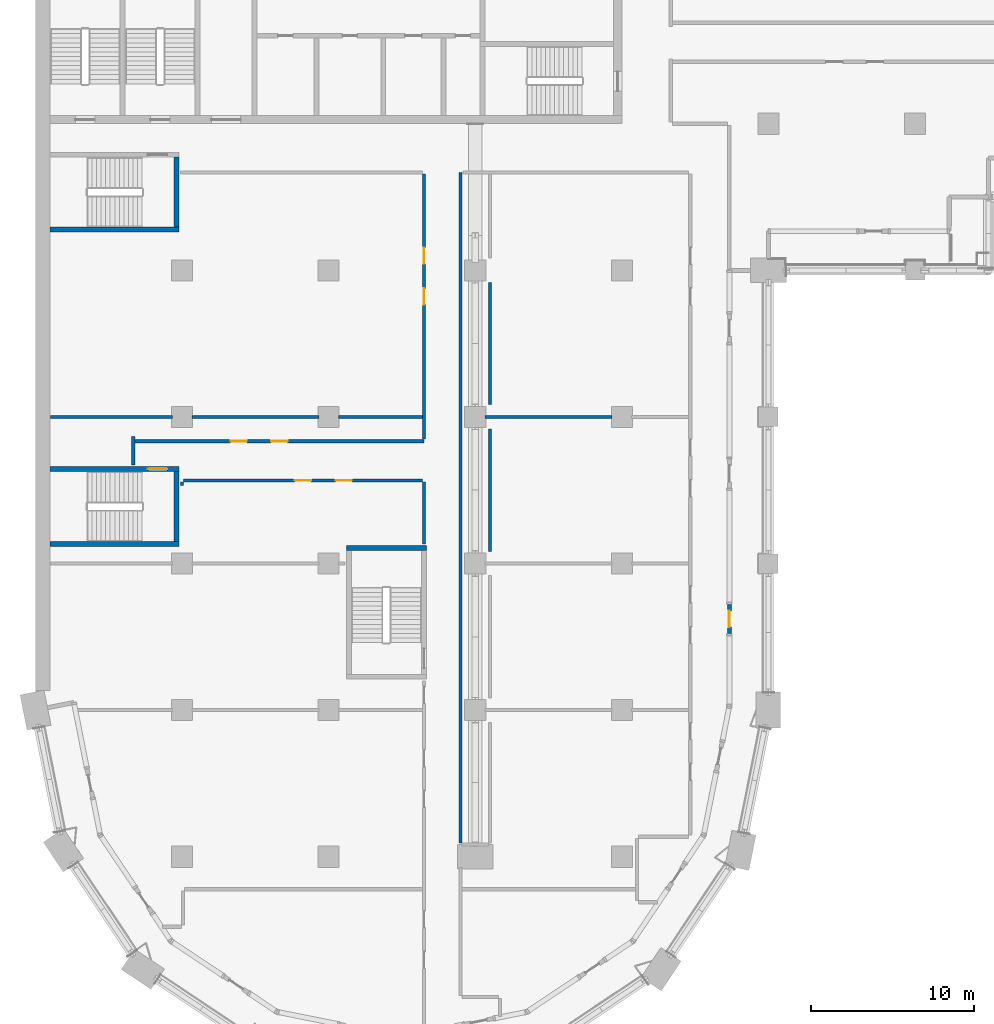
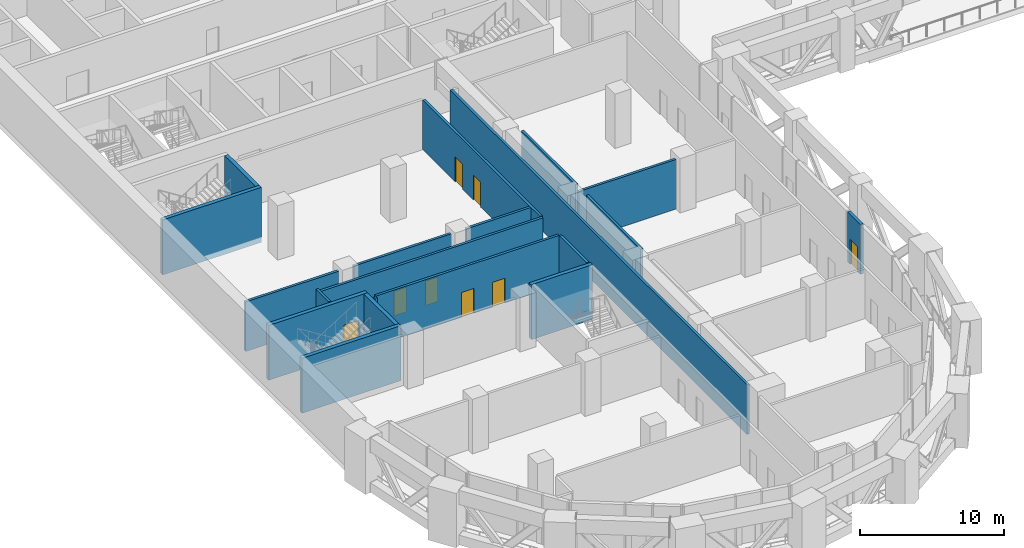
# One storey, part 8 of 22: 20 walls, 8 doors, 8 openings.
"""IFC4 building model written with IfcOpenShell, lengths in metres."""

from ifc_helpers import new_model, si_unit, direction, frame, frame_2d, origin, place, context, subcontext, project, spatial, rectangle, extrude, material, layer, layer_set, type_object, element, fill, save


model = new_model("IFC4")

# Units and contexts
model_context = context("Model", 3, precision=1e-05, world=origin(), true_north=direction((0.0, 1.0)))
body_context = subcontext(model_context, "Body", "Model", "MODEL_VIEW")
ifc_project = project(units=[si_unit("LENGTHUNIT", "METRE"), si_unit("AREAUNIT", "SQUARE_METRE"), si_unit("VOLUMEUNIT", "CUBIC_METRE"), si_unit("PLANEANGLEUNIT", "RADIAN"), si_unit("MASSUNIT", "GRAM", prefix="KILO")], contexts=[model_context])

# Site, building, storey
site_placement = place(None, origin())
site = spatial("IfcSite", under=ifc_project, at=site_placement, CompositionType="ELEMENT")
building_placement = place(site_placement, origin())
building = spatial("IfcBuilding", under=site, at=building_placement, Name="Hunhe Ridgeline Campus", CompositionType="ELEMENT")
storey_placement = place(building_placement, frame((0.0, 0.0, 129.199951171875)))
storey = spatial("IfcBuildingStorey", under=building, at=storey_placement, Name="L32", CompositionType="ELEMENT", Elevation=129.199951171875)

# Wall, openings, doors
ifc_material_1 = material(Name="Gypsum board partition")
ifc_layer_1 = layer(ifc_material_1, 0.199951171875)
ifc_layer_set_1 = layer_set([ifc_layer_1], Name="Corridor partition 200 gypsum board on steel studs")
wall_type_1 = type_object("IfcWallType", Name="Corridor partition 200 gypsum board on steel studs", PredefinedType="PARTITIONING", material=ifc_layer_set_1)
wall_1_placement = place(storey_placement, frame((23.75, 41.10009765625, 0.0), z_axis=(0.0, 0.0, 1.0), x_axis=(-1.0, 0.0, 0.0)))
wall_1 = element("IfcWall", 1, at=wall_1_placement, inside=storey, type_object=wall_type_1, Name="F-L32-wall-018", PredefinedType="PARTITIONING", context=body_context, shape_type="SweptSolid", body=[
    extrude(rectangle(XDim=14.64990234375, YDim=0.199951171875, at=frame_2d((7.324951171875, 0.0))), origin(), (0.0, 0.0, 1.0), 4.199951171875),
])
opening_1_placement = place(wall_1_placement, frame((6.824951171875, 0.0, 0.0)))
opening_1 = element("IfcOpeningElement", 2, at=opening_1_placement, cuts=wall_1, Name="Opening RD1-011", PredefinedType="OPENING", context=body_context, shape_type="SweptSolid", body=[
    extrude(rectangle(XDim=1.0, YDim=2.10009765625, at=frame_2d((0.5, 1.050048828125))), frame((0.0, 0.10009765625, 0.0), z_axis=(0.0, -1.0, 0.0), x_axis=(1.0, 0.0, 0.0)), (0.0, 0.0, 1.0), 0.199951171875),
])
opening_2_placement = place(wall_1_placement, frame((4.324951171875, 0.0, 0.0)))
opening_2 = element("IfcOpeningElement", 3, at=opening_2_placement, cuts=wall_1, Name="Opening RD1-012", PredefinedType="OPENING", context=body_context, shape_type="SweptSolid", body=[
    extrude(rectangle(XDim=1.0, YDim=2.10009765625, at=frame_2d((0.5, 1.050048828125))), frame((0.0, 0.10009765625, 0.0), z_axis=(0.0, -1.0, 0.0), x_axis=(1.0, 0.0, 0.0)), (0.0, 0.0, 1.0), 0.199951171875),
])
ifc_material_2 = material(Name="Timber door leaf", Category="wood")
door_type_1 = type_object("IfcDoorType", Name="Single fire door 1000x2100 timber FD60", OperationType="NOTDEFINED", PredefinedType="DOOR", material=ifc_material_2)
door_1_placement = place(opening_1_placement, frame((1.0, 0.0, 0.0), z_axis=(0.0, 0.0, 1.0), x_axis=(-1.0, 0.0, 0.0)))
door_1 = element("IfcDoor", 4, at=door_1_placement, inside=storey, type_object=door_type_1, Name="F-L32-door-011", OperationType="SINGLE_SWING_RIGHT", OverallHeight=2.10009765625, OverallWidth=1.0, PredefinedType="DOOR", context=body_context, shape_type="SweptSolid", body=[
    extrude(rectangle(XDim=1.0, YDim=2.10009765625, at=frame_2d((0.5, 1.050048828125))), frame((0.0, 0.02490234375, 0.0), z_axis=(0.0, -1.0, 0.0), x_axis=(1.0, 0.0, 0.0)), (0.0, 0.0, 1.0), 0.050048828125),
])
fill(opening_1, door_1)
door_2_placement = place(opening_2_placement, frame((1.0, 0.0, 0.0), z_axis=(0.0, 0.0, 1.0), x_axis=(-1.0, 0.0, 0.0)))
door_2 = element("IfcDoor", 5, at=door_2_placement, inside=storey, type_object=door_type_1, Name="F-L32-door-012", OperationType="SINGLE_SWING_RIGHT", OverallHeight=2.10009765625, OverallWidth=1.0, PredefinedType="DOOR", context=body_context, shape_type="SweptSolid", body=[
    extrude(rectangle(XDim=1.0, YDim=2.10009765625, at=frame_2d((0.5, 1.050048828125))), frame((0.0, 0.02490234375, 0.0), z_axis=(0.0, -1.0, 0.0), x_axis=(1.0, 0.0, 0.0)), (0.0, 0.0, 1.0), 0.050048828125),
])
fill(opening_2, door_2)

wall_2_placement = place(storey_placement, frame((6.10009765625, 43.5, 0.0), z_axis=(0.0, 0.0, 1.0), x_axis=(1.0, 0.0, 0.0)))
wall_2 = element("IfcWall", 6, at=wall_2_placement, inside=storey, type_object=wall_type_1, Name="F-L32-wall-019", PredefinedType="PARTITIONING", context=body_context, shape_type="SweptSolid", body=[
    extrude(rectangle(XDim=17.75, YDim=0.199951171875, at=frame_2d((8.875, 0.0))), origin(), (0.0, 0.0, 1.0), 4.199951171875),
])
opening_3_placement = place(wall_2_placement, frame((5.875, 0.0, 0.0)))
opening_3 = element("IfcOpeningElement", 7, at=opening_3_placement, cuts=wall_2, Name="Opening RD1-014", PredefinedType="OPENING", context=body_context, shape_type="SweptSolid", body=[
    extrude(rectangle(XDim=1.0, YDim=2.10009765625, at=frame_2d((0.5, 1.050048828125))), frame((0.0, 0.10009765625, 0.0), z_axis=(0.0, -1.0, 0.0), x_axis=(1.0, 0.0, 0.0)), (0.0, 0.0, 1.0), 0.199951171875),
])
opening_4_placement = place(wall_2_placement, frame((8.375, 0.0, 0.0)))
opening_4 = element("IfcOpeningElement", 8, at=opening_4_placement, cuts=wall_2, Name="Opening RD1-015", PredefinedType="OPENING", context=body_context, shape_type="SweptSolid", body=[
    extrude(rectangle(XDim=1.0, YDim=2.10009765625, at=frame_2d((0.5, 1.050048828125))), frame((0.0, 0.10009765625, 0.0), z_axis=(0.0, -1.0, 0.0), x_axis=(1.0, 0.0, 0.0)), (0.0, 0.0, 1.0), 0.199951171875),
])
door_3_placement = place(opening_3_placement, frame((1.0, 0.0, 0.0), z_axis=(0.0, 0.0, 1.0), x_axis=(-1.0, 0.0, 0.0)))
door_3 = element("IfcDoor", 9, at=door_3_placement, inside=storey, type_object=door_type_1, Name="F-L32-door-014", OperationType="SINGLE_SWING_RIGHT", OverallHeight=2.10009765625, OverallWidth=1.0, PredefinedType="DOOR", context=body_context, shape_type="SweptSolid", body=[
    extrude(rectangle(XDim=1.0, YDim=2.10009765625, at=frame_2d((0.5, 1.050048828125))), frame((0.0, 0.02490234375, 0.0), z_axis=(0.0, -1.0, 0.0), x_axis=(1.0, 0.0, 0.0)), (0.0, 0.0, 1.0), 0.050048828125),
])
fill(opening_3, door_3)
door_4_placement = place(opening_4_placement, frame((1.0, 0.0, 0.0), z_axis=(0.0, 0.0, 1.0), x_axis=(-1.0, 0.0, 0.0)))
door_4 = element("IfcDoor", 10, at=door_4_placement, inside=storey, type_object=door_type_1, Name="F-L32-door-015", OperationType="SINGLE_SWING_LEFT", OverallHeight=2.10009765625, OverallWidth=1.0, PredefinedType="DOOR", context=body_context, shape_type="SweptSolid", body=[
    extrude(rectangle(XDim=1.0, YDim=2.10009765625, at=frame_2d((0.5, 1.050048828125))), frame((0.0, 0.02490234375, 0.0), z_axis=(0.0, -1.0, 0.0), x_axis=(1.0, 0.0, 0.0)), (0.0, 0.0, 1.0), 0.050048828125),
])
fill(opening_4, door_4)

# Walls
wall_3_placement = place(storey_placement, frame((0.924072265625, 45.0, 0.0), z_axis=(0.0, 0.0, 1.0), x_axis=(1.0, 0.0, 0.0)))
element("IfcWall", 11, at=wall_3_placement, inside=storey, type_object=wall_type_1, Name="F-L32-wall-020", PredefinedType="PARTITIONING", context=body_context, shape_type="SweptSolid", body=[
    extrude(rectangle(XDim=7.475830078125, YDim=0.199951171875, at=frame_2d((3.73779296875, 0.0))), origin(), (0.0, 0.0, 1.0), 4.199951171875),
])
wall_4_placement = place(storey_placement, frame((9.60009765625, 45.0, 0.0), z_axis=(0.0, 0.0, 1.0), x_axis=(1.0, 0.0, 0.0)))
element("IfcWall", 12, at=wall_4_placement, inside=storey, type_object=wall_type_1, Name="F-L32-wall-021", PredefinedType="PARTITIONING", context=body_context, shape_type="SweptSolid", body=[
    extrude(rectangle(XDim=7.7998046875, YDim=0.199951171875, at=frame_2d((3.89990234375, 0.0))), origin(), (0.0, 0.0, 1.0), 4.199951171875),
])
wall_5_placement = place(storey_placement, frame((18.60009765625, 45.0, 0.0), z_axis=(0.0, 0.0, 1.0), x_axis=(1.0, 0.0, 0.0)))
element("IfcWall", 13, at=wall_5_placement, inside=storey, type_object=wall_type_1, Name="F-L32-wall-022", PredefinedType="PARTITIONING", context=body_context, shape_type="SweptSolid", body=[
    extrude(rectangle(XDim=5.14990234375, YDim=0.199951171875, at=frame_2d((2.574951171875, 0.0))), origin(), (0.0, 0.0, 1.0), 4.199951171875),
])
wall_6_placement = place(storey_placement, frame((27.60009765625, 45.0, 0.0), z_axis=(0.0, 0.0, 1.0), x_axis=(1.0, 0.0, 0.0)))
element("IfcWall", 14, at=wall_6_placement, inside=storey, type_object=wall_type_1, Name="F-L32-wall-023", PredefinedType="PARTITIONING", context=body_context, shape_type="SweptSolid", body=[
    extrude(rectangle(XDim=7.7998046875, YDim=0.199951171875, at=frame_2d((3.89990234375, 0.0))), origin(), (0.0, 0.0, 1.0), 4.199951171875),
])
wall_7_placement = place(storey_placement, frame((6.0, 42.053955078125, 0.0), z_axis=(0.0, 0.0, 1.0), x_axis=(0.0, 1.0, 0.0)))
element("IfcWall", 15, at=wall_7_placement, inside=storey, type_object=wall_type_1, Name="F-L32-wall-044", PredefinedType="PARTITIONING", context=body_context, shape_type="SweptSolid", body=[
    extrude(rectangle(XDim=1.74609375, YDim=0.199951171875, at=frame_2d((0.873046875, 0.0))), origin(), (0.0, 0.0, 1.0), 4.199951171875),
])
wall_8_placement = place(storey_placement, frame((9.0, 41.0, 0.0), z_axis=(0.0, 0.0, 1.0), x_axis=(0.0, -1.0, 0.0)))
element("IfcWall", 16, at=wall_8_placement, inside=storey, type_object=wall_type_1, Name="F-L32-wall-045", PredefinedType="PARTITIONING", context=body_context, shape_type="SweptSolid", body=[
    extrude(rectangle(XDim=0.199951171875, YDim=0.199951171875, at=frame_2d((0.10009765625, 0.0))), origin(), (0.0, 0.0, 1.0), 4.199951171875),
])
wall_9_placement = place(storey_placement, frame((23.85009765625, 37.2041015625, 0.0), z_axis=(0.0, 0.0, 1.0), x_axis=(0.0, 1.0, 0.0)))
element("IfcWall", 17, at=wall_9_placement, inside=storey, type_object=wall_type_1, Name="F-L32-wall-048", PredefinedType="PARTITIONING", context=body_context, shape_type="SweptSolid", body=[
    extrude(rectangle(XDim=3.7958984375, YDim=0.199951171875, at=frame_2d((1.89794921875, 0.0))), origin(), (0.0, 0.0, 1.0), 4.199951171875),
])

# Wall, openings, doors
wall_10_placement = place(storey_placement, frame((23.85009765625, 43.646240234375, 0.0), z_axis=(0.0, 0.0, 1.0), x_axis=(0.0, 1.0, 0.0)))
wall_10 = element("IfcWall", 18, at=wall_10_placement, inside=storey, type_object=wall_type_1, Name="F-L32-wall-049", PredefinedType="PARTITIONING", context=body_context, shape_type="SweptSolid", body=[
    extrude(rectangle(XDim=16.253662109375, YDim=0.199951171875, at=frame_2d((8.126953125, 0.0))), origin(), (0.0, 0.0, 1.0), 4.199951171875),
])
opening_5_placement = place(wall_10_placement, frame((8.251953125, 0.0, 0.0)))
opening_5 = element("IfcOpeningElement", 19, at=opening_5_placement, cuts=wall_10, Name="Opening RD1-016", PredefinedType="OPENING", context=body_context, shape_type="SweptSolid", body=[
    extrude(rectangle(XDim=1.0, YDim=2.10009765625, at=frame_2d((0.5, 1.050048828125))), frame((0.0, 0.10009765625, 0.0), z_axis=(0.0, -1.0, 0.0), x_axis=(1.0, 0.0, 0.0)), (0.0, 0.0, 1.0), 0.199951171875),
])
opening_6_placement = place(wall_10_placement, frame((10.751953125, 0.0, 0.0)))
opening_6 = element("IfcOpeningElement", 20, at=opening_6_placement, cuts=wall_10, Name="Opening RD1-018", PredefinedType="OPENING", context=body_context, shape_type="SweptSolid", body=[
    extrude(rectangle(XDim=1.0, YDim=2.10009765625, at=frame_2d((0.5, 1.050048828125))), frame((0.0, 0.10009765625, 0.0), z_axis=(0.0, -1.0, 0.0), x_axis=(1.0, 0.0, 0.0)), (0.0, 0.0, 1.0), 0.199951171875),
])
door_5_placement = place(opening_5_placement, frame((1.0, 0.0, 0.0), z_axis=(0.0, 0.0, 1.0), x_axis=(-1.0, 0.0, 0.0)))
door_5 = element("IfcDoor", 21, at=door_5_placement, inside=storey, type_object=door_type_1, Name="F-L32-door-016", OperationType="SINGLE_SWING_LEFT", OverallHeight=2.10009765625, OverallWidth=1.0, PredefinedType="DOOR", context=body_context, shape_type="SweptSolid", body=[
    extrude(rectangle(XDim=1.0, YDim=2.10009765625, at=frame_2d((0.5, 1.050048828125))), frame((0.0, 0.02490234375, 0.0), z_axis=(0.0, -1.0, 0.0), x_axis=(1.0, 0.0, 0.0)), (0.0, 0.0, 1.0), 0.050048828125),
])
fill(opening_5, door_5)
door_6_placement = place(opening_6_placement, frame((1.0, 0.0, 0.0), z_axis=(0.0, 0.0, 1.0), x_axis=(-1.0, 0.0, 0.0)))
door_6 = element("IfcDoor", 22, at=door_6_placement, inside=storey, type_object=door_type_1, Name="F-L32-door-018", OperationType="SINGLE_SWING_LEFT", OverallHeight=2.10009765625, OverallWidth=1.0, PredefinedType="DOOR", context=body_context, shape_type="SweptSolid", body=[
    extrude(rectangle(XDim=1.0, YDim=2.10009765625, at=frame_2d((0.5, 1.050048828125))), frame((0.0, 0.02490234375, 0.0), z_axis=(0.0, -1.0, 0.0), x_axis=(1.0, 0.0, 0.0)), (0.0, 0.0, 1.0), 0.050048828125),
])
fill(opening_6, door_6)

# Walls
wall_11_placement = place(storey_placement, frame((26.10009765625, 59.999755859375, 0.0), z_axis=(0.0, 0.0, 1.0), x_axis=(0.0, -1.0, 0.0)))
element("IfcWall", 23, at=wall_11_placement, inside=storey, type_object=wall_type_1, Name="F-L32-wall-051", PredefinedType="PARTITIONING", context=body_context, shape_type="SweptSolid", body=[
    extrude(rectangle(XDim=41.149658203125, YDim=0.199951171875, at=frame_2d((20.57470703125, 0.0))), origin(), (0.0, 0.0, 1.0), 4.199951171875),
])
for number, where, z_axis, x_axis, name in (
    (24, (27.89990234375, 44.25, 0.0), (0.0, 0.0, 1.0), (0.0, -1.0, 0.0), "F-L32-wall-054"),
    (25, (27.89990234375, 53.25, 0.0), (0.0, 0.0, 1.0), (0.0, -1.0, 0.0), "F-L32-wall-055"),
):
    element("IfcWall", number, at=place(storey_placement, frame(where, z_axis=z_axis, x_axis=x_axis)), inside=storey, type_object=wall_type_1, Name=name, PredefinedType="PARTITIONING", context=body_context, shape_type="SweptSolid", body=[
        extrude(rectangle(XDim=7.5, YDim=0.199951171875, at=frame_2d((3.75, 0.0))), origin(), (0.0, 0.0, 1.0), 4.199951171875),
    ])

# Wall, opening, door
ifc_material_3 = material(Name="Concrete C30", Category="concrete")
ifc_layer_2 = layer(ifc_material_3, 0.25)
ifc_layer_set_2 = layer_set([ifc_layer_2], Name="Loggia door pier wall 250 Concrete C30")
wall_type_2 = type_object("IfcWallType", Name="Loggia door pier wall 250 Concrete C30", PredefinedType="SOLIDWALL", material=ifc_layer_set_2)
wall_12_placement = place(storey_placement, frame((42.59912109375, 31.697021484375, 0.0), z_axis=(0.0, 0.0, 1.0), x_axis=(0.0, 1.0, 0.0)))
wall_12 = element("IfcWall", 26, at=wall_12_placement, inside=storey, type_object=wall_type_2, Name="Loggia door pier 9", PredefinedType="SOLIDWALL", context=body_context, shape_type="SweptSolid", body=[
    extrude(rectangle(XDim=1.800048828125, YDim=0.25, at=frame_2d((0.89990234375, 0.0))), origin(), (0.0, 0.0, 1.0), 4.199951171875),
])
opening_7_placement = place(wall_12_placement, frame((0.39990234375, 0.0, 0.0)))
opening_7 = element("IfcOpeningElement", 27, at=opening_7_placement, cuts=wall_12, Name="Opening BR309", PredefinedType="OPENING", context=body_context, shape_type="SweptSolid", body=[
    extrude(rectangle(XDim=1.0, YDim=2.10009765625, at=frame_2d((0.5, 1.050048828125))), frame((0.0, 0.125, 0.0), z_axis=(0.0, -1.0, 0.0), x_axis=(1.0, 0.0, 0.0)), (0.0, 0.0, 1.0), 0.25),
])
ifc_material_4 = material(Name="Aluminium 6063", Category="aluminium")
door_type_2 = type_object("IfcDoorType", Name="Loggia glazed door 1000x2100", OperationType="NOTDEFINED", PredefinedType="DOOR", material=ifc_material_4)
door_7_placement = place(opening_7_placement, frame((1.0, 0.0, 0.0), z_axis=(0.0, 0.0, 1.0), x_axis=(-1.0, 0.0, 0.0)))
door_7 = element("IfcDoor", 28, at=door_7_placement, inside=storey, type_object=door_type_2, Name="Loggia door BR309", OperationType="SINGLE_SWING_RIGHT", OverallHeight=2.10009765625, OverallWidth=1.0, PredefinedType="DOOR", context=body_context, shape_type="SweptSolid", body=[
    extrude(rectangle(XDim=1.0, YDim=2.10009765625, at=frame_2d((0.5, 1.050048828125))), frame((0.0, 0.02490234375, 0.0), z_axis=(0.0, -1.0, 0.0), x_axis=(1.0, 0.0, 0.0)), (0.0, 0.0, 1.0), 0.050048828125),
])
fill(opening_7, door_7)

# Walls
ifc_material_5 = material(Name="Concrete C70", Category="concrete")
ifc_layer_3 = layer(ifc_material_5, 0.300048828125)
ifc_layer_set_3 = layer_set([ifc_layer_3], Name="Stair wall 300 reinforced concrete C70")
wall_type_3 = type_object("IfcWallType", Name="Stair wall 300 reinforced concrete C70", PredefinedType="SOLIDWALL", material=ifc_layer_set_3)
wall_13_placement = place(storey_placement, frame((19.10009765625, 36.949951171875, -0.449951171875), z_axis=(0.0, 0.0, 1.0), x_axis=(1.0, 0.0, 0.0)))
element("IfcWall", 29, at=wall_13_placement, inside=storey, type_object=wall_type_3, Name="L32 core wall 2", PredefinedType="SOLIDWALL", context=body_context, shape_type="SweptSolid", body=[
    extrude(rectangle(XDim=4.89990234375, YDim=0.300048828125, at=frame_2d((2.449951171875, 0.0))), origin(), (0.0, 0.0, 1.0), 4.64990234375),
])
wall_14_placement = place(storey_placement, frame((0.89990234375, 37.199951171875, -0.449951171875), z_axis=(0.0, 0.0, 1.0), x_axis=(1.0, 0.0, 0.0)))
element("IfcWall", 30, at=wall_14_placement, inside=storey, type_object=wall_type_3, Name="L32 core wall 3", PredefinedType="SOLIDWALL", context=body_context, shape_type="SweptSolid", body=[
    extrude(rectangle(XDim=7.900146484375, YDim=0.300048828125, at=frame_2d((3.9501953125, 0.0))), origin(), (0.0, 0.0, 1.0), 4.64990234375),
])

# Wall, opening, door
wall_15_placement = place(storey_placement, frame((0.89990234375, 41.800048828125, -0.449951171875), z_axis=(0.0, 0.0, 1.0), x_axis=(1.0, 0.0, 0.0)))
wall_15 = element("IfcWall", 31, at=wall_15_placement, inside=storey, type_object=wall_type_3, Name="L32 core wall 4", PredefinedType="SOLIDWALL", context=body_context, shape_type="SweptSolid", body=[
    extrude(rectangle(XDim=7.900146484375, YDim=0.300048828125, at=frame_2d((3.9501953125, 0.0))), origin(), (0.0, 0.0, 1.0), 4.64990234375),
])
opening_8_placement = place(wall_15_placement, frame((6.0, 0.0, 0.449951171875)))
opening_8 = element("IfcOpeningElement", 32, at=opening_8_placement, cuts=wall_15, Name="Opening CD21", PredefinedType="OPENING", context=body_context, shape_type="SweptSolid", body=[
    extrude(rectangle(XDim=1.199951171875, YDim=2.10009765625, at=frame_2d((0.60009765625, 1.050048828125))), frame((0.0, 0.14990234375, 0.0), z_axis=(0.0, -1.0, 0.0), x_axis=(1.0, 0.0, 0.0)), (0.0, 0.0, 1.0), 0.300048828125),
])
ifc_material_6 = material(Name="Hollow metal fire door leaf")
door_type_3 = type_object("IfcDoorType", Name="Stair door 1200x2100 FD60", OperationType="SINGLE_SWING_LEFT", PredefinedType="DOOR", material=ifc_material_6)
door_8_placement = place(opening_8_placement, origin())
door_8 = element("IfcDoor", 33, at=door_8_placement, inside=storey, type_object=door_type_3, Name="L32 door W1", OperationType="SINGLE_SWING_RIGHT", OverallHeight=2.10009765625, OverallWidth=1.199951171875, PredefinedType="DOOR", context=body_context, shape_type="SweptSolid", body=[
    extrude(rectangle(XDim=1.199951171875, YDim=2.10009765625, at=frame_2d((0.60009765625, 1.050048828125))), frame((0.0, 0.02490234375, 0.0), z_axis=(0.0, -1.0, 0.0), x_axis=(1.0, 0.0, 0.0)), (0.0, 0.0, 1.0), 0.050048828125),
])
fill(opening_8, door_8)

# Walls
wall_16_placement = place(storey_placement, frame((0.89990234375, 56.5, -0.449951171875), z_axis=(0.0, 0.0, 1.0), x_axis=(1.0, 0.0, 0.0)))
element("IfcWall", 34, at=wall_16_placement, inside=storey, type_object=wall_type_3, Name="L32 core wall 5", PredefinedType="SOLIDWALL", context=body_context, shape_type="SweptSolid", body=[
    extrude(rectangle(XDim=7.900146484375, YDim=0.300048828125, at=frame_2d((3.9501953125, 0.0))), origin(), (0.0, 0.0, 1.0), 4.64990234375),
])
wall_17_placement = place(storey_placement, frame((8.64990234375, 37.35009765625, -0.449951171875), z_axis=(0.0, 0.0, 1.0), x_axis=(0.0, 1.0, 0.0)))
element("IfcWall", 35, at=wall_17_placement, inside=storey, type_object=wall_type_3, Name="L32 core wall 39", PredefinedType="SOLIDWALL", context=body_context, shape_type="SweptSolid", body=[
    extrude(rectangle(XDim=4.2998046875, YDim=0.300048828125, at=frame_2d((2.14990234375, 0.0))), origin(), (0.0, 0.0, 1.0), 4.64990234375),
])
wall_18_placement = place(storey_placement, frame((8.64990234375, 56.64990234375, -0.449951171875), z_axis=(0.0, 0.0, 1.0), x_axis=(0.0, 1.0, 0.0)))
element("IfcWall", 36, at=wall_18_placement, inside=storey, type_object=wall_type_3, Name="L32 core wall 40", PredefinedType="SOLIDWALL", context=body_context, shape_type="SweptSolid", body=[
    extrude(rectangle(XDim=4.300048828125, YDim=0.300048828125, at=frame_2d((2.14990234375, 0.0))), origin(), (0.0, 0.0, 1.0), 4.64990234375),
])

save(model, "model.ifc")
